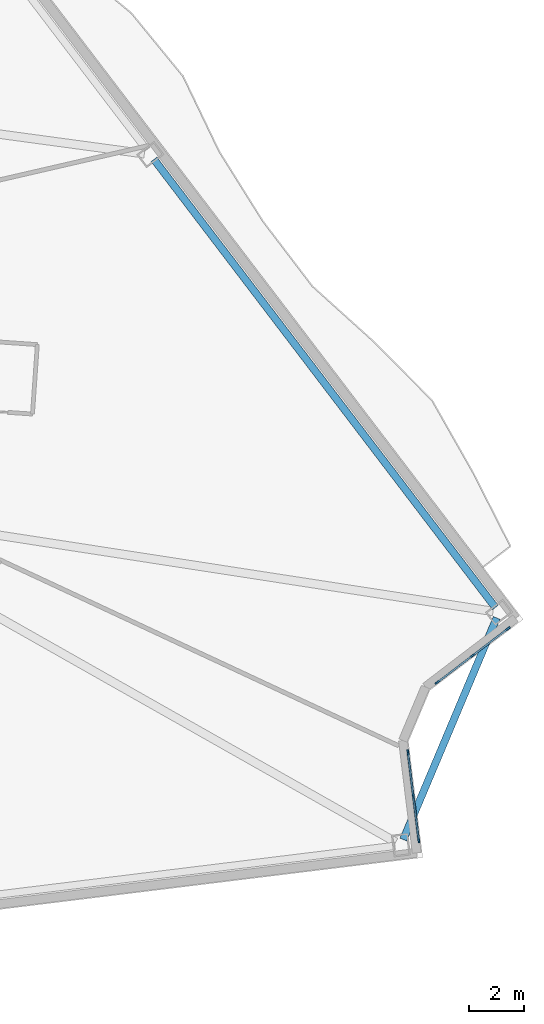
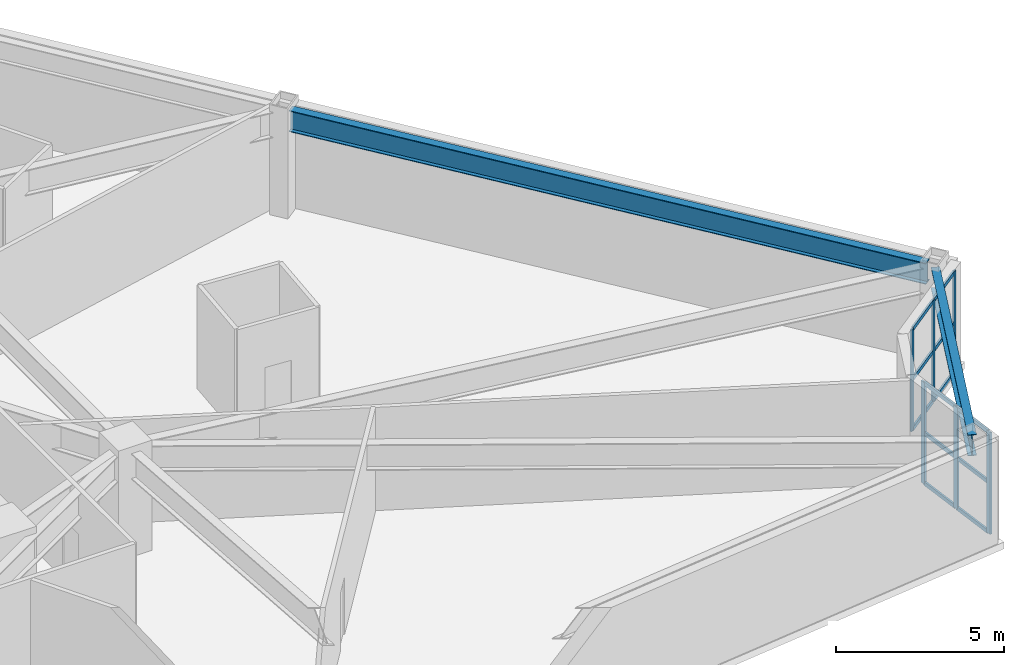
# One storey, part 4 of 14: 18 members, 2 beams, 2 elements without a shape of their own.
"""IFC4 building model written with IfcOpenShell, lengths in metres."""

from ifc_helpers import new_model, si_unit, direction, frame, origin, origin_2d, place, context, subcontext, project, spatial, rectangle, i_section, extrude, material, layer, layer_set, material_profile, profile_set, type_object, element, aggregate, save


model = new_model("IFC4")

# Units and contexts
model_context = context("Model", 3, precision=1e-05, world=origin(), true_north=direction((0.0, 1.0)))
body_context = subcontext(model_context, "Body", "Model", "MODEL_VIEW")
ifc_project = project(units=[si_unit("LENGTHUNIT", "METRE"), si_unit("AREAUNIT", "SQUARE_METRE"), si_unit("VOLUMEUNIT", "CUBIC_METRE"), si_unit("PLANEANGLEUNIT", "RADIAN"), si_unit("MASSUNIT", "GRAM", prefix="KILO")], contexts=[model_context])

# Site, building, storey
site_placement = place(None, origin())
site = spatial("IfcSite", under=ifc_project, at=site_placement, CompositionType="ELEMENT")
building_placement = place(site_placement, origin())
building = spatial("IfcBuilding", under=site, at=building_placement, Name="Apsidion Concourse Tower", CompositionType="ELEMENT")
storey_placement = place(building_placement, frame((0.0, 0.0, 79.0)))
storey = spatial("IfcBuildingStorey", under=building, at=storey_placement, Name="L17", CompositionType="ELEMENT", Elevation=79.0)

# Beams
ifc_material_1 = material(Name="Structural steel ASTM A992 Grade 50", Category="steel")
ifc_material_profile_1 = material_profile(ifc_material_1, i_section(OverallWidth=0.26806640625, OverallDepth=0.77001953125, WebThickness=0.015625, FlangeThickness=0.025390625, at=origin_2d()), Name="W30X132")
ifc_profile_set_1 = profile_set([ifc_material_profile_1], Name="Structural steel ASTM A992 Grade 50")
beam_type = type_object("IfcBeamType", Name="BM-SP-W30", PredefinedType="SPANDREL", material=ifc_profile_set_1)
beam_1_placement = place(storey_placement, frame((34.599609375, -19.4765625, 3.364990234375), z_axis=(0.388335552383, 0.921518040385, 0.0), x_axis=(-0.921518040385, 0.388335552383, 0.0)))
element("IfcBeam", 1, at=beam_1_placement, inside=storey, type_object=beam_type, Name="L17 Perimeter Spandrel Girder SP-08", PredefinedType="SPANDREL", context=body_context, shape_type="SweptSolid", body=[
    extrude(i_section(OverallWidth=0.26806640625, OverallDepth=0.77001953125, WebThickness=0.015625, FlangeThickness=0.025390625, at=origin_2d()), origin(), (0.0, 0.0, 1.0), 8.7763671875),
])
beam_2_placement = place(storey_placement, frame((37.959716796875, -11.01123046875, 3.364990234375), z_axis=(-0.605965911945, 0.795490611862, 0.0), x_axis=(-0.795490611862, -0.605965911945, 0.0)))
element("IfcBeam", 2, at=beam_2_placement, inside=storey, type_object=beam_type, Name="L17 Perimeter Spandrel Girder SP-09", PredefinedType="SPANDREL", context=body_context, shape_type="SweptSolid", body=[
    extrude(i_section(OverallWidth=0.26806640625, OverallDepth=0.77001953125, WebThickness=0.015625, FlangeThickness=0.025390625, at=origin_2d()), origin(), (0.0, 0.0, 1.0), 20.55419921875),
])

# Curtain wall, members
ifc_material_2 = material(Name="Insulated laminated low-E glass", Category="glass")
ifc_layer = layer(ifc_material_2, 0.219970703125)
ifc_layer_set = layer_set([ifc_layer], Name="Insulated laminated low-E glass")
curtain_wall_type = type_object("IfcCurtainWallType", Name="CW-SYS-04", PredefinedType="NOTDEFINED", material=ifc_layer_set)
curtain_wall_1_placement = place(storey_placement, origin())
curtain_wall_1 = element("IfcCurtainWall", 3, at=curtain_wall_1_placement, inside=storey, type_object=curtain_wall_type, Name="L17 Corner Lounge Box Curtain Wall 2", PredefinedType="NOTDEFINED")
ifc_material_3 = material(Name="Anodised aluminium EN AW-6063 T6", Category="aluminium")
ifc_material_profile_2 = material_profile(ifc_material_3, rectangle(XDim=0.06494140625, YDim=0.179931640625, at=origin_2d()), Name="ALU MULLION 65x180")
ifc_profile_set_2 = profile_set([ifc_material_profile_2], Name="Anodised aluminium EN AW-6063 T6")
member_type_1 = type_object("IfcMemberType", Name="CWM-65X180", PredefinedType="MULLION", material=ifc_profile_set_2)
member_1_placement = place(storey_placement, frame((38.420654296875, -11.780029296875, 0.0), z_axis=(0.0, 0.0, 1.0), x_axis=(0.605879897035, -0.795556126473, 0.0)))
member_1 = element("IfcMember", 4, at=member_1_placement, type_object=member_type_1, Name="CW-04 mullion 1", PredefinedType="MULLION", context=body_context, shape_type="SweptSolid", body=[
    extrude(rectangle(XDim=0.06494140625, YDim=0.179931640625, at=origin_2d()), origin(), (0.0, 0.0, 1.0), 3.699951171875),
])
member_2_placement = place(storey_placement, frame((37.133056640625, -12.7607421875, 0.0), z_axis=(0.0, 0.0, 1.0), x_axis=(0.605879897035, -0.795556126473, 0.0)))
member_2 = element("IfcMember", 5, at=member_2_placement, type_object=member_type_1, Name="CW-04 mullion 2", PredefinedType="MULLION", context=body_context, shape_type="SweptSolid", body=[
    extrude(rectangle(XDim=0.06494140625, YDim=0.179931640625, at=origin_2d()), origin(), (0.0, 0.0, 1.0), 3.699951171875),
])
member_3_placement = place(storey_placement, frame((35.84521484375, -13.741455078125, 0.0), z_axis=(0.0, 0.0, 1.0), x_axis=(0.605879897035, -0.795556126473, 0.0)))
member_3 = element("IfcMember", 6, at=member_3_placement, type_object=member_type_1, Name="CW-04 mullion 3", PredefinedType="MULLION", context=body_context, shape_type="SweptSolid", body=[
    extrude(rectangle(XDim=0.06494140625, YDim=0.179931640625, at=origin_2d()), origin(), (0.0, 0.0, 1.0), 3.699951171875),
])

curtain_wall_2_placement = place(storey_placement, origin())
curtain_wall_2 = element("IfcCurtainWall", 7, at=curtain_wall_2_placement, inside=storey, type_object=curtain_wall_type, Name="L17 Corner Lounge Box Curtain Wall 4", PredefinedType="NOTDEFINED")
member_4_placement = place(storey_placement, frame((34.77099609375, -16.289794921875, 0.0), z_axis=(0.0, 0.0, 1.0), x_axis=(0.992545254703, 0.121876648162, 0.0)))
member_4 = element("IfcMember", 8, at=member_4_placement, type_object=member_type_1, Name="CW-04 mullion 1", PredefinedType="MULLION", context=body_context, shape_type="SweptSolid", body=[
    extrude(rectangle(XDim=0.06494140625, YDim=0.179931640625, at=origin_2d()), origin(), (0.0, 0.0, 1.0), 3.699951171875),
])
member_5_placement = place(storey_placement, frame((34.96826171875, -17.896484375, 0.0), z_axis=(0.0, 0.0, 1.0), x_axis=(0.992545254703, 0.121876648162, 0.0)))
member_5 = element("IfcMember", 9, at=member_5_placement, type_object=member_type_1, Name="CW-04 mullion 2", PredefinedType="MULLION", context=body_context, shape_type="SweptSolid", body=[
    extrude(rectangle(XDim=0.06494140625, YDim=0.179931640625, at=origin_2d()), origin(), (0.0, 0.0, 1.0), 3.699951171875),
])
member_6_placement = place(storey_placement, frame((35.16552734375, -19.503173828125, 0.0), z_axis=(0.0, 0.0, 1.0), x_axis=(0.992545254703, 0.121876648162, 0.0)))
member_6 = element("IfcMember", 10, at=member_6_placement, type_object=member_type_1, Name="CW-04 mullion 3", PredefinedType="MULLION", context=body_context, shape_type="SweptSolid", body=[
    extrude(rectangle(XDim=0.06494140625, YDim=0.179931640625, at=origin_2d()), origin(), (0.0, 0.0, 1.0), 3.699951171875),
])

# Member
ifc_material_profile_3 = material_profile(ifc_material_3, rectangle(XDim=0.06494140625, YDim=0.139892578125, at=origin_2d()), Name="ALU TRANSOM 65x140")
ifc_profile_set_3 = profile_set([ifc_material_profile_3], Name="Anodised aluminium EN AW-6063 T6")
member_type_2 = type_object("IfcMemberType", Name="CWT-65X140", PredefinedType="USERDEFINED", material=ifc_profile_set_3)
member_7_placement = place(storey_placement, frame((38.394775390625, -11.799560546875, 0.032470703125), z_axis=(-0.795547129353, -0.605891710604, 0.0), x_axis=(0.605891710604, -0.795547129353, 0.0)))
member_7 = element("IfcMember", 11, at=member_7_placement, type_object=member_type_2, Name="CW-04 transom 1.1", ObjectType="TRANSOM", PredefinedType="USERDEFINED", context=body_context, shape_type="SweptSolid", body=[
    extrude(rectangle(XDim=0.06494140625, YDim=0.139892578125, at=origin_2d()), origin(), (0.0, 0.0, 1.0), 1.5537109375),
])

member_8_placement = place(storey_placement, frame((38.394775390625, -11.799560546875, 1.85009765625), z_axis=(-0.795547129353, -0.605891710604, 0.0), x_axis=(0.605891710604, -0.795547129353, 0.0)))
member_8 = element("IfcMember", 12, at=member_8_placement, type_object=member_type_2, Name="CW-04 transom 1.2", ObjectType="TRANSOM", PredefinedType="USERDEFINED", context=body_context, shape_type="SweptSolid", body=[
    extrude(rectangle(XDim=0.06494140625, YDim=0.139892578125, at=origin_2d()), origin(), (0.0, 0.0, 1.0), 1.5537109375),
])

member_9_placement = place(storey_placement, frame((38.394775390625, -11.799560546875, 3.66748046875), z_axis=(-0.795547129353, -0.605891710604, 0.0), x_axis=(0.605891710604, -0.795547129353, 0.0)))
member_9 = element("IfcMember", 13, at=member_9_placement, type_object=member_type_2, Name="CW-04 transom 1.3", ObjectType="TRANSOM", PredefinedType="USERDEFINED", context=body_context, shape_type="SweptSolid", body=[
    extrude(rectangle(XDim=0.06494140625, YDim=0.139892578125, at=origin_2d()), origin(), (0.0, 0.0, 1.0), 1.5537109375),
])

member_10_placement = place(storey_placement, frame((37.107177734375, -12.780517578125, 0.032470703125), z_axis=(-0.795547129353, -0.605891710604, 0.0), x_axis=(0.605891710604, -0.795547129353, 0.0)))
member_10 = element("IfcMember", 14, at=member_10_placement, type_object=member_type_2, Name="CW-04 transom 2.1", ObjectType="TRANSOM", PredefinedType="USERDEFINED", context=body_context, shape_type="SweptSolid", body=[
    extrude(rectangle(XDim=0.06494140625, YDim=0.139892578125, at=origin_2d()), origin(), (0.0, 0.0, 1.0), 1.5537109375),
])

member_11_placement = place(storey_placement, frame((37.107177734375, -12.780517578125, 1.85009765625), z_axis=(-0.795547129353, -0.605891710604, 0.0), x_axis=(0.605891710604, -0.795547129353, 0.0)))
member_11 = element("IfcMember", 15, at=member_11_placement, type_object=member_type_2, Name="CW-04 transom 2.2", ObjectType="TRANSOM", PredefinedType="USERDEFINED", context=body_context, shape_type="SweptSolid", body=[
    extrude(rectangle(XDim=0.06494140625, YDim=0.139892578125, at=origin_2d()), origin(), (0.0, 0.0, 1.0), 1.5537109375),
])

member_12_placement = place(storey_placement, frame((37.107177734375, -12.780517578125, 3.66748046875), z_axis=(-0.795547129353, -0.605891710604, 0.0), x_axis=(0.605891710604, -0.795547129353, 0.0)))
member_12 = element("IfcMember", 16, at=member_12_placement, type_object=member_type_2, Name="CW-04 transom 2.3", ObjectType="TRANSOM", PredefinedType="USERDEFINED", context=body_context, shape_type="SweptSolid", body=[
    extrude(rectangle(XDim=0.06494140625, YDim=0.139892578125, at=origin_2d()), origin(), (0.0, 0.0, 1.0), 1.5537109375),
])

aggregate(curtain_wall_1, [member_1, member_2, member_3, member_7, member_8, member_9, member_10, member_11, member_12])

member_13_placement = place(storey_placement, frame((34.77490234375, -16.322021484375, 0.032470703125), z_axis=(0.121926603855, -0.992539119266, 0.0), x_axis=(0.992539119266, 0.121926603855, 0.0)))
member_13 = element("IfcMember", 17, at=member_13_placement, type_object=member_type_2, Name="CW-04 transom 1.1", ObjectType="TRANSOM", PredefinedType="USERDEFINED", context=body_context, shape_type="SweptSolid", body=[
    extrude(rectangle(XDim=0.06494140625, YDim=0.139892578125, at=origin_2d()), origin(), (0.0, 0.0, 1.0), 1.5537109375),
])

member_14_placement = place(storey_placement, frame((34.77490234375, -16.322021484375, 1.85009765625), z_axis=(0.121926603855, -0.992539119266, 0.0), x_axis=(0.992539119266, 0.121926603855, 0.0)))
member_14 = element("IfcMember", 18, at=member_14_placement, type_object=member_type_2, Name="CW-04 transom 1.2", ObjectType="TRANSOM", PredefinedType="USERDEFINED", context=body_context, shape_type="SweptSolid", body=[
    extrude(rectangle(XDim=0.06494140625, YDim=0.139892578125, at=origin_2d()), origin(), (0.0, 0.0, 1.0), 1.5537109375),
])

member_15_placement = place(storey_placement, frame((34.77490234375, -16.322021484375, 3.66748046875), z_axis=(0.121926603855, -0.992539119266, 0.0), x_axis=(0.992539119266, 0.121926603855, 0.0)))
member_15 = element("IfcMember", 19, at=member_15_placement, type_object=member_type_2, Name="CW-04 transom 1.3", ObjectType="TRANSOM", PredefinedType="USERDEFINED", context=body_context, shape_type="SweptSolid", body=[
    extrude(rectangle(XDim=0.06494140625, YDim=0.139892578125, at=origin_2d()), origin(), (0.0, 0.0, 1.0), 1.5537109375),
])

member_16_placement = place(storey_placement, frame((34.972412109375, -17.9287109375, 0.032470703125), z_axis=(0.121771813286, -0.99255812197, 0.0), x_axis=(0.99255812197, 0.121771813286, 0.0)))
member_16 = element("IfcMember", 20, at=member_16_placement, type_object=member_type_2, Name="CW-04 transom 2.1", ObjectType="TRANSOM", PredefinedType="USERDEFINED", context=body_context, shape_type="SweptSolid", body=[
    extrude(rectangle(XDim=0.06494140625, YDim=0.139892578125, at=origin_2d()), origin(), (0.0, 0.0, 1.0), 1.5537109375),
])

member_17_placement = place(storey_placement, frame((34.972412109375, -17.9287109375, 1.85009765625), z_axis=(0.121771813286, -0.99255812197, 0.0), x_axis=(0.99255812197, 0.121771813286, 0.0)))
member_17 = element("IfcMember", 21, at=member_17_placement, type_object=member_type_2, Name="CW-04 transom 2.2", ObjectType="TRANSOM", PredefinedType="USERDEFINED", context=body_context, shape_type="SweptSolid", body=[
    extrude(rectangle(XDim=0.06494140625, YDim=0.139892578125, at=origin_2d()), origin(), (0.0, 0.0, 1.0), 1.5537109375),
])

member_18_placement = place(storey_placement, frame((34.972412109375, -17.9287109375, 3.66748046875), z_axis=(0.121771813286, -0.99255812197, 0.0), x_axis=(0.99255812197, 0.121771813286, 0.0)))
member_18 = element("IfcMember", 22, at=member_18_placement, type_object=member_type_2, Name="CW-04 transom 2.3", ObjectType="TRANSOM", PredefinedType="USERDEFINED", context=body_context, shape_type="SweptSolid", body=[
    extrude(rectangle(XDim=0.06494140625, YDim=0.139892578125, at=origin_2d()), origin(), (0.0, 0.0, 1.0), 1.5537109375),
])

aggregate(curtain_wall_2, [member_4, member_5, member_6, member_13, member_14, member_15, member_16, member_17, member_18])

save(model, "model.ifc")
